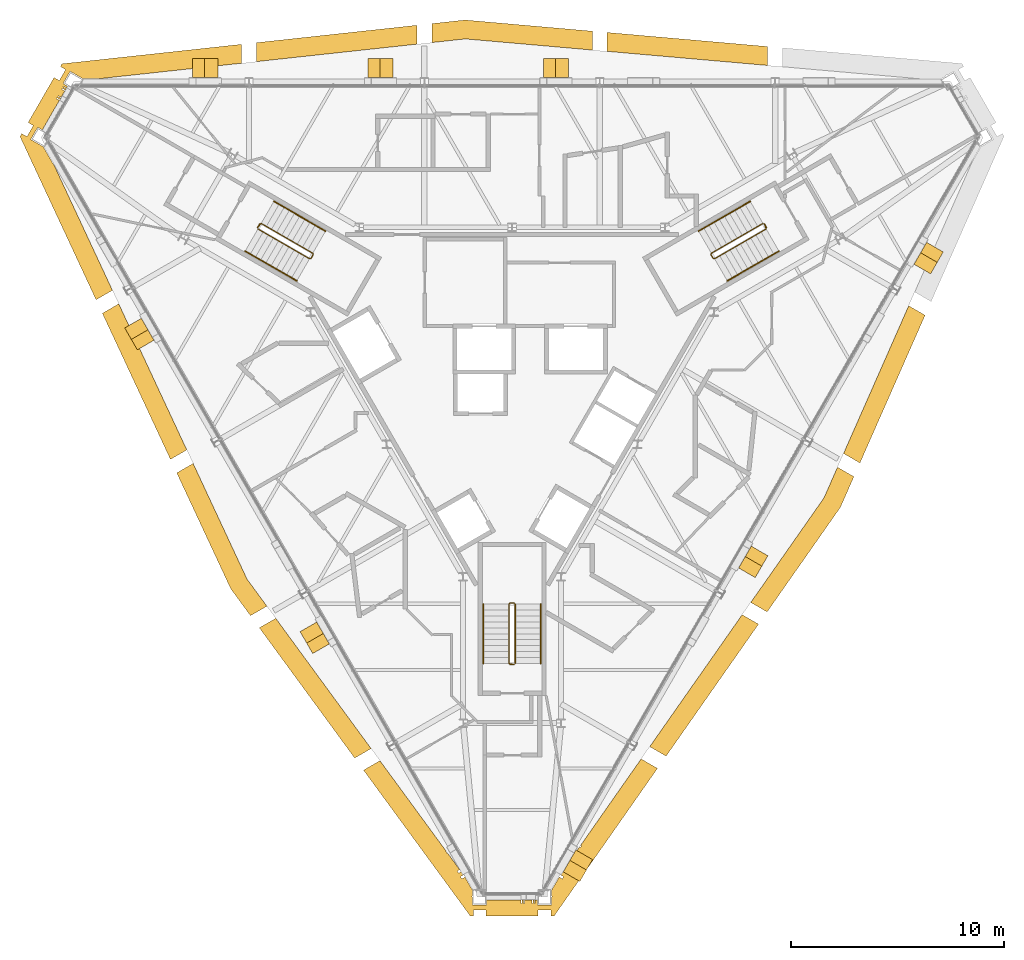
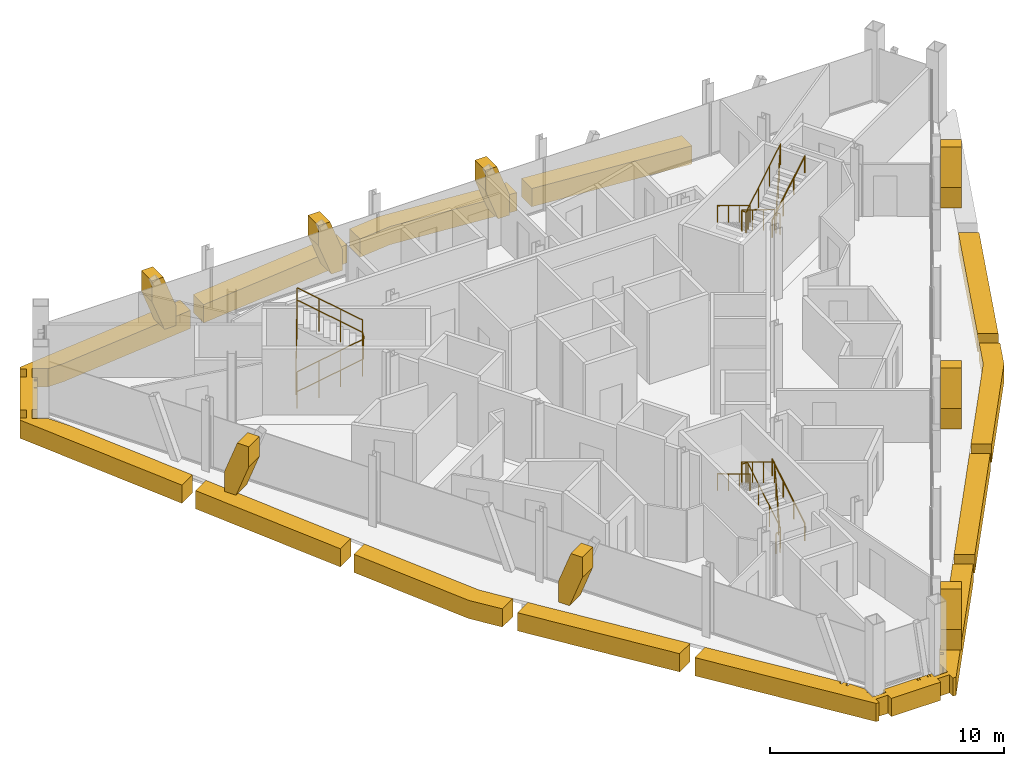
# One storey, part 12 of 13: 19 coverings, 9 railings.
"""IFC4 building model written with IfcOpenShell, lengths in metres."""

from ifc_helpers import new_model, si_unit, direction, frame, origin, origin_2d, place, context, subcontext, project, spatial, polyline, circle, outline, extrude, material, layer, layer_set, type_object, element, save


model = new_model("IFC4")

# Units and contexts
model_context = context("Model", 3, precision=1e-05, world=origin(), true_north=direction((0.0, 1.0)))
body_context = subcontext(model_context, "Body", "Model", "MODEL_VIEW")
ifc_project = project(units=[si_unit("LENGTHUNIT", "METRE"), si_unit("AREAUNIT", "SQUARE_METRE"), si_unit("VOLUMEUNIT", "CUBIC_METRE"), si_unit("PLANEANGLEUNIT", "RADIAN"), si_unit("MASSUNIT", "GRAM", prefix="KILO")], contexts=[model_context])

# Site, building, storey
site_placement = place(None, origin())
site = spatial("IfcSite", under=ifc_project, at=site_placement, CompositionType="ELEMENT")
building_placement = place(site_placement, origin())
building = spatial("IfcBuilding", under=site, at=building_placement, Name="Verrane Prism Tower", CompositionType="ELEMENT")
storey_placement = place(building_placement, frame((0.0, 0.0, 289.89990234375)))
storey = spatial("IfcBuildingStorey", under=building, at=storey_placement, Name="L73", CompositionType="ELEMENT", Elevation=289.89990234375)

# Railings
ifc_material_1 = material(Name="Steel A36 rail and posts, no infill", Category="steel")
railing_type_1 = type_object("IfcRailingType", Name="Stair guard 1100 steel rail and posts", PredefinedType="GUARDRAIL", material=ifc_material_1)
railing_1_placement = place(storey_placement, frame((11.78955078125, 6.97998046875, 0.168212890625)))
element("IfcRailing", 1, at=railing_1_placement, inside=storey, type_object=railing_type_1, Name="Stair 1 guard", PredefinedType="GUARDRAIL", context=body_context, shape_type="SweptSolid", body=[
    extrude(circle(Radius=0.02392578125, at=origin_2d()), frame((0.0, 0.0, 1.076171875), z_axis=(-0.742366697286, -0.42866220388, 0.514917859203), x_axis=(0.500049511043, -0.865996816683, 0.0)), (0.0, 0.0, 1.0), 3.266357421875),
    extrude(circle(Radius=0.02392578125, at=origin_2d()), frame((-2.4248046875, -1.400146484375, 2.7578125), z_axis=(-0.259601060869, -0.965715946433, 0.0), x_axis=(0.965715946433, -0.259601060869, 0.0)), (0.0, 0.0, 1.0), 0.070556640625),
    extrude(circle(Radius=0.02392578125, at=origin_2d()), frame((-2.443115234375, -1.46826171875, 2.7578125), z_axis=(0.499158860599, -0.866510491504, 0.0), x_axis=(0.866510491504, 0.499158860599, 0.0)), (0.0, 0.0, 1.0), 0.199951171875),
    extrude(circle(Radius=0.02392578125, at=origin_2d()), frame((-2.34326171875, -1.6416015625, 2.7578125), z_axis=(0.374585375571, -0.100335368456, 0.921747584887), x_axis=(0.258736085224, 0.965948051503, 0.0)), (0.0, 0.0, 1.0), 0.182373046875),
    extrude(circle(Radius=0.02392578125, at=origin_2d()), frame((-2.27490234375, -1.659912109375, 2.92626953125), z_axis=(0.742366697286, 0.42866220388, 0.514917859203), x_axis=(-0.500049511043, 0.865996816683, 0.0)), (0.0, 0.0, 1.0), 3.266357421875),
    extrude(circle(Radius=0.02392578125, at=origin_2d()), frame((0.14990234375, -0.259765625, 4.60791015625), z_axis=(-0.021985391189, 0.065100454749, -0.997636493602), x_axis=(-0.947430582667, -0.3199613899, 0.0)), (0.0, 0.0, 1.0), 3.708984375),
    extrude(circle(Radius=0.02392578125, at=origin_2d()), frame((0.068359375, -0.018310546875, 0.90771484375), z_axis=(0.499158860599, -0.866510491504, 0.0), x_axis=(0.866510491504, 0.499158860599, 0.0)), (0.0, 0.0, 1.0), 0.199951171875),
    extrude(circle(Radius=0.02099609375, at=origin_2d()), origin(), (0.0, 0.0, 1.0), 1.052001953125),
    extrude(circle(Radius=0.02099609375, at=origin_2d()), frame((-0.808349609375, -0.466796875, 0.560546875)), (0.0, 0.0, 1.0), 1.052001953125),
    extrude(circle(Radius=0.02099609375, at=origin_2d()), frame((-1.616455078125, -0.933349609375, 1.121337890625)), (0.0, 0.0, 1.0), 1.052001953125),
    extrude(circle(Radius=0.02099609375, at=origin_2d()), frame((-2.4248046875, -1.400146484375, 1.681884765625)), (0.0, 0.0, 1.0), 1.052001953125),
    extrude(circle(Radius=0.02099609375, at=origin_2d()), frame((-2.443115234375, -1.46826171875, 1.681884765625)), (0.0, 0.0, 1.0), 1.052001953125),
    extrude(circle(Radius=0.02099609375, at=origin_2d()), frame((-2.34326171875, -1.6416015625, 1.681884765625)), (0.0, 0.0, 1.0), 1.052001953125),
    extrude(circle(Radius=0.02099609375, at=origin_2d()), frame((-2.27490234375, -1.659912109375, 1.85009765625)), (0.0, 0.0, 1.0), 1.052001953125),
    extrude(circle(Radius=0.02099609375, at=origin_2d()), frame((-1.466552734375, -1.193115234375, 2.41064453125)), (0.0, 0.0, 1.0), 1.052001953125),
    extrude(circle(Radius=0.02099609375, at=origin_2d()), frame((-0.658447265625, -0.7265625, 2.971435546875)), (0.0, 0.0, 1.0), 1.052001953125),
    extrude(circle(Radius=0.02099609375, at=origin_2d()), frame((0.14990234375, -0.259765625, 3.531982421875)), (0.0, 0.0, 1.0), 1.052001953125),
    extrude(circle(Radius=0.02099609375, at=origin_2d()), frame((0.12939453125, -0.199462890625, 2.60693359375)), (0.0, 0.0, 1.0), 1.052001953125),
    extrude(circle(Radius=0.02099609375, at=origin_2d()), frame((0.109130859375, -0.13916015625, 1.681884765625)), (0.0, 0.0, 1.0), 1.052001953125),
    extrude(circle(Radius=0.02099609375, at=origin_2d()), frame((0.0888671875, -0.07861328125, 0.7568359375)), (0.0, 0.0, 1.0), 1.052001953125),
    extrude(circle(Radius=0.02099609375, at=origin_2d()), frame((0.068359375, -0.018310546875, -0.168212890625)), (0.0, 0.0, 1.0), 1.052001953125),
    extrude(circle(Radius=0.02099609375, at=origin_2d()), frame((0.168212890625, -0.191650390625, -0.168212890625)), (0.0, 0.0, 1.0), 1.052001953125),
])
railing_2_placement = place(storey_placement, frame((-11.939453125, 6.72021484375, 0.168212890625)))
element("IfcRailing", 2, at=railing_2_placement, inside=storey, type_object=railing_type_1, Name="Stair 2 guard", PredefinedType="GUARDRAIL", context=body_context, shape_type="SweptSolid", body=[
    extrude(circle(Radius=0.02392578125, at=origin_2d()), frame((0.0, 0.0, 1.076171875), z_axis=(0.742366697286, -0.42866220388, 0.514917859203), x_axis=(0.500049511043, 0.865996816683, 0.0)), (0.0, 0.0, 1.0), 3.266357421875),
    extrude(circle(Radius=0.02392578125, at=origin_2d()), frame((2.4248046875, -1.400146484375, 2.7578125), z_axis=(0.965948051503, 0.258736085224, 0.0), x_axis=(-0.258736085224, 0.965948051503, 0.0)), (0.0, 0.0, 1.0), 0.07080078125),
    extrude(circle(Radius=0.02392578125, at=origin_2d()), frame((2.4931640625, -1.3818359375, 2.7578125), z_axis=(0.499158860599, 0.866510491504, 0.0), x_axis=(-0.866510491504, 0.499158860599, 0.0)), (0.0, 0.0, 1.0), 0.199951171875),
    extrude(circle(Radius=0.02392578125, at=origin_2d()), frame((2.593017578125, -1.20849609375, 2.7578125), z_axis=(-0.100385596638, 0.373434419493, 0.922209014446), x_axis=(-0.965715946433, -0.259601060869, 0.0)), (0.0, 0.0, 1.0), 0.182373046875),
    extrude(circle(Radius=0.02392578125, at=origin_2d()), frame((2.57470703125, -1.140380859375, 2.92626953125), z_axis=(-0.742366697286, 0.42866220388, 0.514917859203), x_axis=(-0.500049511043, -0.865996816683, 0.0)), (0.0, 0.0, 1.0), 3.266357421875),
    extrude(circle(Radius=0.02392578125, at=origin_2d()), frame((0.14990234375, 0.259765625, 4.60791015625), z_axis=(-0.045352972709, -0.05167210969, -0.997633750906), x_axis=(0.751567565678, -0.659656118156, 0.0)), (0.0, 0.0, 1.0), 3.708984375),
    extrude(circle(Radius=0.02392578125, at=origin_2d()), frame((-0.018310546875, 0.068115234375, 0.90771484375), z_axis=(0.499158860599, 0.866510491504, 0.0), x_axis=(-0.866510491504, 0.499158860599, 0.0)), (0.0, 0.0, 1.0), 0.199951171875),
    extrude(circle(Radius=0.02099609375, at=origin_2d()), origin(), (0.0, 0.0, 1.0), 1.052001953125),
    extrude(circle(Radius=0.02099609375, at=origin_2d()), frame((0.808349609375, -0.466796875, 0.560546875)), (0.0, 0.0, 1.0), 1.052001953125),
    extrude(circle(Radius=0.02099609375, at=origin_2d()), frame((1.616455078125, -0.933349609375, 1.121337890625)), (0.0, 0.0, 1.0), 1.052001953125),
    extrude(circle(Radius=0.02099609375, at=origin_2d()), frame((2.4248046875, -1.400146484375, 1.681884765625)), (0.0, 0.0, 1.0), 1.052001953125),
    extrude(circle(Radius=0.02099609375, at=origin_2d()), frame((2.4931640625, -1.3818359375, 1.681884765625)), (0.0, 0.0, 1.0), 1.052001953125),
    extrude(circle(Radius=0.02099609375, at=origin_2d()), frame((2.593017578125, -1.20849609375, 1.681884765625)), (0.0, 0.0, 1.0), 1.052001953125),
    extrude(circle(Radius=0.02099609375, at=origin_2d()), frame((2.57470703125, -1.140380859375, 1.85009765625)), (0.0, 0.0, 1.0), 1.052001953125),
    extrude(circle(Radius=0.02099609375, at=origin_2d()), frame((1.766357421875, -0.673583984375, 2.41064453125)), (0.0, 0.0, 1.0), 1.052001953125),
    extrude(circle(Radius=0.02099609375, at=origin_2d()), frame((0.958251953125, -0.20703125, 2.971435546875)), (0.0, 0.0, 1.0), 1.052001953125),
    extrude(circle(Radius=0.02099609375, at=origin_2d()), frame((0.14990234375, 0.259765625, 3.531982421875)), (0.0, 0.0, 1.0), 1.052001953125),
    extrude(circle(Radius=0.02099609375, at=origin_2d()), frame((0.10791015625, 0.2119140625, 2.60693359375)), (0.0, 0.0, 1.0), 1.052001953125),
    extrude(circle(Radius=0.02099609375, at=origin_2d()), frame((0.06591796875, 0.1640625, 1.681884765625)), (0.0, 0.0, 1.0), 1.052001953125),
    extrude(circle(Radius=0.02099609375, at=origin_2d()), frame((0.023681640625, 0.115966796875, 0.7568359375)), (0.0, 0.0, 1.0), 1.052001953125),
    extrude(circle(Radius=0.02099609375, at=origin_2d()), frame((-0.018310546875, 0.068115234375, -0.168212890625)), (0.0, 0.0, 1.0), 1.052001953125),
    extrude(circle(Radius=0.02099609375, at=origin_2d()), frame((0.08154296875, 0.241455078125, -0.168212890625)), (0.0, 0.0, 1.0), 1.052001953125),
])
railing_3_placement = place(storey_placement, frame((0.14990234375, -13.699951171875, 0.168212890625)))
element("IfcRailing", 3, at=railing_3_placement, inside=storey, type_object=railing_type_1, Name="Stair 3 guard", PredefinedType="GUARDRAIL", context=body_context, shape_type="SweptSolid", body=[
    extrude(circle(Radius=0.02392578125, at=origin_2d()), frame((0.0, 0.0, 1.076171875), z_axis=(0.0, 0.857242210791, 0.514913383045), x_axis=(-1.0, 0.0, 0.0)), (0.0, 0.0, 1.0), 3.266357421875),
    extrude(circle(Radius=0.02392578125, at=origin_2d()), frame((0.0, 2.800048828125, 2.7578125), z_axis=(-0.707106781187, 0.707106781187, 0.0), x_axis=(-0.707106781187, -0.707106781187, 0.0)), (0.0, 0.0, 1.0), 0.0703125),
    extrude(circle(Radius=0.02392578125, at=origin_2d()), frame((-0.0498046875, 2.849853515625, 2.7578125), z_axis=(-1.0, 0.0, 0.0), x_axis=(0.0, -1.0, 0.0)), (0.0, 0.0, 1.0), 0.2001953125),
    extrude(circle(Radius=0.02392578125, at=origin_2d()), frame((-0.25, 2.849853515625, 2.7578125), z_axis=(-0.273106073848, -0.273106073848, 0.922402376869), x_axis=(0.707106781187, -0.707106781187, 0.0)), (0.0, 0.0, 1.0), 0.182373046875),
    extrude(circle(Radius=0.02392578125, at=origin_2d()), frame((-0.2998046875, 2.800048828125, 2.92626953125), z_axis=(0.0, -0.857242210791, 0.514913383045), x_axis=(1.0, 0.0, 0.0)), (0.0, 0.0, 1.0), 3.266357421875),
    extrude(circle(Radius=0.02392578125, at=origin_2d()), frame((-0.2998046875, 0.0, 4.60791015625), z_axis=(0.067404178178, -0.013494000514, -0.997634496554), x_axis=(0.196300278283, 0.98054382908, 0.0)), (0.0, 0.0, 1.0), 3.708984375),
    extrude(circle(Radius=0.02392578125, at=origin_2d()), frame((-0.0498046875, -0.050048828125, 0.90771484375), z_axis=(-1.0, 0.0, 0.0), x_axis=(0.0, -1.0, 0.0)), (0.0, 0.0, 1.0), 0.2001953125),
    extrude(circle(Radius=0.02099609375, at=origin_2d()), origin(), (0.0, 0.0, 1.0), 1.052001953125),
    extrude(circle(Radius=0.02099609375, at=origin_2d()), frame((0.0, 0.933349609375, 0.560546875)), (0.0, 0.0, 1.0), 1.052001953125),
    extrude(circle(Radius=0.02099609375, at=origin_2d()), frame((0.0, 1.86669921875, 1.121337890625)), (0.0, 0.0, 1.0), 1.052001953125),
    extrude(circle(Radius=0.02099609375, at=origin_2d()), frame((0.0, 2.800048828125, 1.681884765625)), (0.0, 0.0, 1.0), 1.052001953125),
    extrude(circle(Radius=0.02099609375, at=origin_2d()), frame((-0.0498046875, 2.849853515625, 1.681884765625)), (0.0, 0.0, 1.0), 1.052001953125),
    extrude(circle(Radius=0.02099609375, at=origin_2d()), frame((-0.25, 2.849853515625, 1.681884765625)), (0.0, 0.0, 1.0), 1.052001953125),
    extrude(circle(Radius=0.02099609375, at=origin_2d()), frame((-0.2998046875, 2.800048828125, 1.85009765625)), (0.0, 0.0, 1.0), 1.052001953125),
    extrude(circle(Radius=0.02099609375, at=origin_2d()), frame((-0.2998046875, 1.86669921875, 2.41064453125)), (0.0, 0.0, 1.0), 1.052001953125),
    extrude(circle(Radius=0.02099609375, at=origin_2d()), frame((-0.2998046875, 0.933349609375, 2.971435546875)), (0.0, 0.0, 1.0), 1.052001953125),
    extrude(circle(Radius=0.02099609375, at=origin_2d()), frame((-0.2998046875, 0.0, 3.531982421875)), (0.0, 0.0, 1.0), 1.052001953125),
    extrude(circle(Radius=0.02099609375, at=origin_2d()), frame((-0.2373046875, -0.012451171875, 2.60693359375)), (0.0, 0.0, 1.0), 1.052001953125),
    extrude(circle(Radius=0.02099609375, at=origin_2d()), frame((-0.1748046875, -0.02490234375, 1.681884765625)), (0.0, 0.0, 1.0), 1.052001953125),
    extrude(circle(Radius=0.02099609375, at=origin_2d()), frame((-0.1123046875, -0.03759765625, 0.7568359375)), (0.0, 0.0, 1.0), 1.052001953125),
    extrude(circle(Radius=0.02099609375, at=origin_2d()), frame((-0.0498046875, -0.050048828125, -0.168212890625)), (0.0, 0.0, 1.0), 1.052001953125),
    extrude(circle(Radius=0.02099609375, at=origin_2d()), frame((-0.25, -0.050048828125, -0.168212890625)), (0.0, 0.0, 1.0), 1.052001953125),
])
ifc_material_2 = material(Name="Steel A36 tube", Category="steel")
railing_type_2 = type_object("IfcRailingType", Name="Stair handrail 900 steel tube", PredefinedType="HANDRAIL", material=ifc_material_2)
railing_4_placement = place(storey_placement, frame((11.189453125, 8.01904296875, 0.168212890625)))
element("IfcRailing", 4, at=railing_4_placement, inside=storey, type_object=railing_type_2, Name="Stair 1 handrail", PredefinedType="HANDRAIL", context=body_context, shape_type="SweptSolid", body=[
    extrude(circle(Radius=0.02392578125, at=origin_2d()), frame((0.0, 0.0, 0.8759765625), z_axis=(-0.742390482028, -0.42860119049, 0.514934356695), x_axis=(0.49998411664, -0.866034573852, 0.0)), (0.0, 0.0, 1.0), 3.26611328125),
    extrude(circle(Radius=0.02099609375, at=origin_2d()), origin(), (0.0, 0.0, 1.0), 0.851806640625),
    extrude(circle(Radius=0.02099609375, at=origin_2d()), frame((-0.808349609375, -0.466552734375, 0.560546875)), (0.0, 0.0, 1.0), 0.851806640625),
    extrude(circle(Radius=0.02099609375, at=origin_2d()), frame((-1.616455078125, -0.933349609375, 1.121337890625)), (0.0, 0.0, 1.0), 0.851806640625),
    extrude(circle(Radius=0.02099609375, at=origin_2d()), frame((-2.4248046875, -1.39990234375, 1.681884765625)), (0.0, 0.0, 1.0), 0.851806640625),
])
railing_5_placement = place(storey_placement, frame((10.11474609375, 4.28076171875, 2.018310546875)))
element("IfcRailing", 5, at=railing_5_placement, inside=storey, type_object=railing_type_2, Name="Stair 1 handrail", PredefinedType="HANDRAIL", context=body_context, shape_type="SweptSolid", body=[
    extrude(circle(Radius=0.02392578125, at=origin_2d()), frame((0.0, 0.0, 0.8759765625), z_axis=(0.742366697286, 0.42866220388, 0.514917859203), x_axis=(-0.500049511043, 0.865996816683, 0.0)), (0.0, 0.0, 1.0), 3.266357421875),
    extrude(circle(Radius=0.02099609375, at=origin_2d()), origin(), (0.0, 0.0, 1.0), 0.851806640625),
    extrude(circle(Radius=0.02099609375, at=origin_2d()), frame((0.808349609375, 0.466796875, 0.560546875)), (0.0, 0.0, 1.0), 0.851806640625),
    extrude(circle(Radius=0.02099609375, at=origin_2d()), frame((1.616455078125, 0.933349609375, 1.121337890625)), (0.0, 0.0, 1.0), 0.851806640625),
    extrude(circle(Radius=0.02099609375, at=origin_2d()), frame((2.4248046875, 1.400146484375, 1.681884765625)), (0.0, 0.0, 1.0), 0.851806640625),
])
railing_6_placement = place(storey_placement, frame((-12.53955078125, 5.680908203125, 0.168212890625)))
element("IfcRailing", 6, at=railing_6_placement, inside=storey, type_object=railing_type_2, Name="Stair 2 handrail", PredefinedType="HANDRAIL", context=body_context, shape_type="SweptSolid", body=[
    extrude(circle(Radius=0.02392578125, at=origin_2d()), frame((0.0, 0.0, 0.8759765625), z_axis=(0.742366697286, -0.42866220388, 0.514917859203), x_axis=(0.500049511043, 0.865996816683, 0.0)), (0.0, 0.0, 1.0), 3.266357421875),
    extrude(circle(Radius=0.02099609375, at=origin_2d()), origin(), (0.0, 0.0, 1.0), 0.851806640625),
    extrude(circle(Radius=0.02099609375, at=origin_2d()), frame((0.808349609375, -0.466796875, 0.560546875)), (0.0, 0.0, 1.0), 0.851806640625),
    extrude(circle(Radius=0.02099609375, at=origin_2d()), frame((1.616455078125, -0.933349609375, 1.121337890625)), (0.0, 0.0, 1.0), 0.851806640625),
    extrude(circle(Radius=0.02099609375, at=origin_2d()), frame((2.4248046875, -1.400146484375, 1.681884765625)), (0.0, 0.0, 1.0), 0.851806640625),
])
railing_7_placement = place(storey_placement, frame((-8.7646484375, 6.619140625, 2.018310546875)))
element("IfcRailing", 7, at=railing_7_placement, inside=storey, type_object=railing_type_2, Name="Stair 2 handrail", PredefinedType="HANDRAIL", context=body_context, shape_type="SweptSolid", body=[
    extrude(circle(Radius=0.02392578125, at=origin_2d()), frame((0.0, 0.0, 0.8759765625), z_axis=(-0.742390482028, 0.42860119049, 0.514934356695), x_axis=(-0.49998411664, -0.866034573852, 0.0)), (0.0, 0.0, 1.0), 3.26611328125),
    extrude(circle(Radius=0.02099609375, at=origin_2d()), origin(), (0.0, 0.0, 1.0), 0.851806640625),
    extrude(circle(Radius=0.02099609375, at=origin_2d()), frame((-0.808349609375, 0.466552734375, 0.560546875)), (0.0, 0.0, 1.0), 0.851806640625),
    extrude(circle(Radius=0.02099609375, at=origin_2d()), frame((-1.616455078125, 0.933349609375, 1.121337890625)), (0.0, 0.0, 1.0), 0.851806640625),
    extrude(circle(Radius=0.02099609375, at=origin_2d()), frame((-2.4248046875, 1.39990234375, 1.681884765625)), (0.0, 0.0, 1.0), 0.851806640625),
])
railing_8_placement = place(storey_placement, frame((1.35009765625, -13.699951171875, 0.168212890625)))
element("IfcRailing", 8, at=railing_8_placement, inside=storey, type_object=railing_type_2, Name="Stair 3 handrail", PredefinedType="HANDRAIL", context=body_context, shape_type="SweptSolid", body=[
    extrude(circle(Radius=0.02392578125, at=origin_2d()), frame((0.0, 0.0, 0.8759765625), z_axis=(0.0, 0.857242210791, 0.514913383045), x_axis=(-1.0, 0.0, 0.0)), (0.0, 0.0, 1.0), 3.266357421875),
    extrude(circle(Radius=0.02099609375, at=origin_2d()), origin(), (0.0, 0.0, 1.0), 0.851806640625),
    extrude(circle(Radius=0.02099609375, at=origin_2d()), frame((0.0, 0.933349609375, 0.560546875)), (0.0, 0.0, 1.0), 0.851806640625),
    extrude(circle(Radius=0.02099609375, at=origin_2d()), frame((0.0, 1.86669921875, 1.121337890625)), (0.0, 0.0, 1.0), 0.851806640625),
    extrude(circle(Radius=0.02099609375, at=origin_2d()), frame((0.0, 2.800048828125, 1.681884765625)), (0.0, 0.0, 1.0), 0.851806640625),
])
railing_9_placement = place(storey_placement, frame((-1.35009765625, -10.89990234375, 2.018310546875)))
element("IfcRailing", 9, at=railing_9_placement, inside=storey, type_object=railing_type_2, Name="Stair 3 handrail", PredefinedType="HANDRAIL", context=body_context, shape_type="SweptSolid", body=[
    extrude(circle(Radius=0.02392578125, at=origin_2d()), frame((0.0, 0.0, 0.8759765625), z_axis=(0.0, -0.857242210791, 0.514913383045), x_axis=(1.0, 0.0, 0.0)), (0.0, 0.0, 1.0), 3.266357421875),
    extrude(circle(Radius=0.02099609375, at=origin_2d()), origin(), (0.0, 0.0, 1.0), 0.851806640625),
    extrude(circle(Radius=0.02099609375, at=origin_2d()), frame((0.0, -0.933349609375, 0.560546875)), (0.0, 0.0, 1.0), 0.851806640625),
    extrude(circle(Radius=0.02099609375, at=origin_2d()), frame((0.0, -1.86669921875, 1.121337890625)), (0.0, 0.0, 1.0), 0.851806640625),
    extrude(circle(Radius=0.02099609375, at=origin_2d()), frame((0.0, -2.800048828125, 1.681884765625)), (0.0, 0.0, 1.0), 0.851806640625),
])

# Coverings
ifc_material_3 = material(Name="Warm limestone cladding", Category="masonry")
ifc_layer_1 = layer(ifc_material_3, 0.89990234375)
ifc_layer_set_1 = layer_set([ifc_layer_1], Name="Stone brace fin 900")
covering_type_1 = type_object("IfcCoveringType", Name="Stone brace fin 900", PredefinedType="CLADDING", material=ifc_layer_set_1)
for number, where, z_axis, x_axis, name in (
    (10, (2.6533203125, 14.27783203125, 0.0), (0.0, 0.0, 1.0), (-1.0, 0.0, 0.0), "Stone brace fin N3 L73"),
    (11, (-5.5869140625, 14.27783203125, 0.0), (0.0, 0.0, 1.0), (-1.0, 0.0, 0.0), "Stone brace fin N4 L73"),
    (12, (-13.826904296875, 14.27783203125, 0.0), (0.0, 0.0, 1.0), (-1.0, 0.0, 0.0), "Stone brace fin N5 L73"),
):
    element("IfcCovering", number, at=place(storey_placement, frame(where, z_axis=z_axis, x_axis=x_axis)), inside=storey, type_object=covering_type_1, Name=name, PredefinedType="CLADDING", context=body_context, shape_type="SweptSolid", body=[
        extrude(outline(polyline([(1.186279296875, 2.75), (0.62109375, 2.75), (0.0, 1.076416015625), (0.0, 0.0), (0.560302734375, 0.0), (1.186279296875, 1.6865234375), (1.186279296875, 2.75)])), frame((0.0, 0.449951171875, 0.0), z_axis=(0.0, -1.0, 0.0), x_axis=(1.0, 0.0, 0.0)), (0.0, 0.0, 1.0), 0.89990234375),
    ])
for number, where, z_axis, x_axis, name in (
    (13, (-17.810302734375, 2.295166015625, 0.0), (0.0, 0.0, 1.0), (0.499657156181, -0.866223254293, 0.0), "Stone brace fin SW2 L73"),
    (14, (-9.5703125, -11.974853515625, 0.0), (0.0, 0.0, 1.0), (0.499746201493, -0.866171884844, 0.0), "Stone brace fin SW4 L73"),
    (15, (2.797119140625, -23.712890625, 0.0), (0.0, 0.0, 1.0), (0.499811481546, 0.86613421761, 0.0), "Stone brace fin SE1 L73"),
):
    element("IfcCovering", number, at=place(storey_placement, frame(where, z_axis=z_axis, x_axis=x_axis)), inside=storey, type_object=covering_type_1, Name=name, PredefinedType="CLADDING", context=body_context, shape_type="SweptSolid", body=[
        extrude(outline(polyline([(1.18701171875, 2.75), (0.62158203125, 2.75), (0.0, 1.076171875), (0.0, 0.0), (0.560546875, 0.0), (1.18701171875, 1.68701171875), (1.18701171875, 2.75)])), frame((0.0, 0.449951171875, 0.0), z_axis=(0.0, -1.0, 0.0), x_axis=(1.0, 0.0, 0.0)), (0.0, 0.0, 1.0), 0.89990234375),
    ])
covering_1_placement = place(storey_placement, frame((11.037109375, -9.434814453125, 0.0), z_axis=(0.0, 0.0, 1.0), x_axis=(0.500191825104, 0.865914625179, 0.0)))
element("IfcCovering", 16, at=covering_1_placement, inside=storey, type_object=covering_type_1, Name="Stone brace fin SE3 L73", PredefinedType="CLADDING", context=body_context, shape_type="SweptSolid", body=[
    extrude(outline(polyline([(1.185791015625, 2.75), (0.62060546875, 2.75), (0.0, 1.0771484375), (0.0, 0.0), (0.560302734375, 0.0), (1.185791015625, 1.685791015625), (1.185791015625, 2.75)])), frame((0.0, 0.449951171875, 0.0), z_axis=(0.0, -1.0, 0.0), x_axis=(1.0, 0.0, 0.0)), (0.0, 0.0, 1.0), 0.89990234375),
])
covering_2_placement = place(storey_placement, frame((19.277099609375, 4.837158203125, 0.0), z_axis=(0.0, 0.0, 1.0), x_axis=(0.499811481546, 0.86613421761, 0.0)))
element("IfcCovering", 17, at=covering_2_placement, inside=storey, type_object=covering_type_1, Name="Stone brace fin SE5 L73", PredefinedType="CLADDING", context=body_context, shape_type="SweptSolid", body=[
    extrude(outline(polyline([(1.18701171875, 2.75), (0.62158203125, 2.75), (0.0, 1.076171875), (0.0, 0.0), (0.560546875, 0.0), (1.18701171875, 1.68701171875), (1.18701171875, 2.75)])), frame((0.0, 0.449951171875, 0.0), z_axis=(0.0, -1.0, 0.0), x_axis=(1.0, 0.0, 0.0)), (0.0, 0.0, 1.0), 0.89990234375),
])
ifc_material_4 = material(Name="Warm limestone cladding", Category="masonry")
ifc_layer_2 = layer(ifc_material_4, 0.449951171875)
ifc_layer_set_2 = layer_set([ifc_layer_2], Name="Stone spandrel band 450")
covering_type_2 = type_object("IfcCoveringType", Name="Stone spandrel band 450", PredefinedType="CLADDING", material=ifc_layer_set_2)
covering_3_placement = place(storey_placement, frame((0.0, 0.0, -0.949951171875)))
element("IfcCovering", 18, at=covering_3_placement, inside=storey, type_object=covering_type_2, Name="Stone spandrel band L73 part 2", PredefinedType="CLADDING", context=body_context, shape_type="SweptSolid", body=[
    extrude(outline(polyline([(-18.777099609375, 3.83837890625), (-21.478759765625, 9.6357421875), (-22.027099609375, 10.585205078125), (-22.614013671875, 10.92431640625), (-22.2841796875, 11.495849609375), (-22.07275390625, 11.373779296875), (-21.268798828125, 12.76611328125), (-21.41015625, 12.847900390625), (-21.38671875, 12.888427734375), (-21.245361328125, 12.806640625), (-21.204833984375, 12.876953125), (-21.34619140625, 12.95849609375), (-21.331298828125, 12.984130859375), (-21.190185546875, 12.90234375), (-21.015625, 13.20458984375), (-21.15673828125, 13.2861328125), (-21.13330078125, 13.32666015625), (-20.9921875, 13.2451171875), (-20.95166015625, 13.315185546875), (-21.0927734375, 13.39697265625), (-21.077880859375, 13.42236328125), (-20.93701171875, 13.3408203125), (-20.8837890625, 13.432861328125), (-21.093994140625, 13.55419921875), (-20.76416015625, 14.125732421875), (-20.1708984375, 13.783447265625), (-19.377197265625, 13.783447265625), (-12.712646484375, 14.507568359375), (-12.712646484375, 15.3974609375), (-21.146240234375, 14.481201171875), (-21.220703125, 14.352294921875), (-20.97412109375, 14.209716796875), (-21.274169921875, 13.690185546875), (-21.520751953125, 13.83251953125), (-22.73974609375, 11.72119140625), (-22.4931640625, 11.578857421875), (-22.793212890625, 11.05908203125), (-23.039794921875, 11.20166015625), (-23.1201171875, 11.0625), (-19.54638671875, 3.394287109375), (-18.777099609375, 3.83837890625)])), origin(), (0.0, 0.0, 1.0), 0.949951171875),
])
covering_4_placement = place(storey_placement, frame((0.0, 0.0, -0.949951171875)))
element("IfcCovering", 19, at=covering_4_placement, inside=storey, type_object=covering_type_2, Name="Stone spandrel band L73 part 3", PredefinedType="CLADDING", context=body_context, shape_type="SweptSolid", body=[
    extrude(outline(polyline([(1.9794921875, -25.5537109375), (6.83349609375, -18.624755859375), (6.064208984375, -18.1806640625), (3.22314453125, -22.236572265625), (3.2587890625, -22.257080078125), (3.199951171875, -22.35888671875), (3.1552734375, -22.333251953125), (3.047607421875, -22.487060546875), (3.1064453125, -22.52099609375), (3.04541015625, -22.626953125), (2.97705078125, -22.587646484375), (2.431640625, -23.3662109375), (2.572021484375, -23.447021484375), (2.51318359375, -23.548828125), (2.367919921875, -23.465087890625), (2.2744140625, -23.627197265625), (2.419677734375, -23.7109375), (2.358642578125, -23.81689453125), (2.21337890625, -23.733154296875), (1.85009765625, -24.3623046875), (1.85009765625, -24.611083984375), (1.8876953125, -24.6328125), (1.85009765625, -24.6982421875), (1.85009765625, -25.050048828125), (1.18994140625, -25.050048828125), (1.18994140625, -24.802490234375), (1.08349609375, -24.802490234375), (1.08349609375, -24.969970703125), (1.053955078125, -24.969970703125), (1.053955078125, -24.802490234375), (0.972900390625, -24.802490234375), (0.972900390625, -24.969970703125), (0.92578125, -24.969970703125), (0.92578125, -24.802490234375), (0.57666015625, -24.802490234375), (0.57666015625, -24.969970703125), (0.547119140625, -24.969970703125), (0.547119140625, -24.802490234375), (0.466064453125, -24.802490234375), (0.466064453125, -24.969970703125), (0.419189453125, -24.969970703125), (0.419189453125, -24.802490234375), (-1.18994140625, -24.802490234375), (-1.18994140625, -25.050048828125), (-1.85009765625, -25.050048828125), (-1.85009765625, -24.6982421875), (-1.8876953125, -24.6328125), (-1.85009765625, -24.611083984375), (-1.85009765625, -24.3623046875), (-2.21337890625, -23.733154296875), (-2.358642578125, -23.81689453125), (-2.419677734375, -23.7109375), (-2.279541015625, -23.6298828125), (-2.390625, -23.478271484375), (-2.51318359375, -23.548828125), (-2.572021484375, -23.447021484375), (-2.46044921875, -23.3828125), (-3.02294921875, -22.614013671875), (-3.04541015625, -22.626953125), (-3.1064453125, -22.52099609375), (-3.095703125, -22.514892578125), (-6.20751953125, -18.26318359375), (-6.978271484375, -18.708251953125), (-1.968017578125, -25.5537109375), (-1.819091796875, -25.5537109375), (-1.819091796875, -25.26904296875), (-1.218994140625, -25.26904296875), (-1.218994140625, -25.5537109375), (1.218994140625, -25.5537109375), (1.218994140625, -25.26904296875), (1.819091796875, -25.26904296875), (1.819091796875, -25.5537109375), (1.9794921875, -25.5537109375)])), origin(), (0.0, 0.0, 1.0), 0.949951171875),
])
covering_5_placement = place(storey_placement, frame((0.0, 0.0, -0.949951171875)))
element("IfcCovering", 20, at=covering_5_placement, inside=storey, type_object=covering_type_2, Name="Stone spandrel band L73 part 4", PredefinedType="CLADDING", context=body_context, shape_type="SweptSolid", body=[
    extrude(outline(polyline([(-15.2822265625, -3.66064453125), (-18.480224609375, 3.201416015625), (-19.24951171875, 2.75732421875), (-16.051513671875, -4.104736328125), (-15.2822265625, -3.66064453125)])), origin(), (0.0, 0.0, 1.0), 0.949951171875),
])
covering_6_placement = place(storey_placement, frame((0.0, 0.0, -0.949951171875)))
element("IfcCovering", 21, at=covering_6_placement, inside=storey, type_object=covering_type_2, Name="Stone spandrel band L73 part 5", PredefinedType="CLADDING", context=body_context, shape_type="SweptSolid", body=[
    extrude(outline(polyline([(-12.29052734375, -11.4501953125), (-11.519775390625, -11.005126953125), (-12.454345703125, -9.728515625), (-14.9853515625, -4.297607421875), (-15.754638671875, -4.74169921875), (-13.2197265625, -10.180908203125), (-12.29052734375, -11.4501953125)])), origin(), (0.0, 0.0, 1.0), 0.949951171875),
])
covering_7_placement = place(storey_placement, frame((0.0, 0.0, -0.949951171875)))
element("IfcCovering", 22, at=covering_7_placement, inside=storey, type_object=covering_type_2, Name="Stone spandrel band L73 part 6", PredefinedType="CLADDING", context=body_context, shape_type="SweptSolid", body=[
    extrude(outline(polyline([(-7.394287109375, -18.14013671875), (-6.623291015625, -17.695068359375), (-11.10400390625, -11.573486328125), (-11.874755859375, -12.018310546875), (-7.394287109375, -18.14013671875)])), origin(), (0.0, 0.0, 1.0), 0.949951171875),
])
covering_8_placement = place(storey_placement, frame((0.0, 0.0, -0.949951171875)))
element("IfcCovering", 23, at=covering_8_placement, inside=storey, type_object=covering_type_2, Name="Stone spandrel band L73 part 7", PredefinedType="CLADDING", context=body_context, shape_type="SweptSolid", body=[
    extrude(outline(polyline([(11.58056640625, -11.848388671875), (10.811279296875, -11.404296875), (6.467529296875, -17.60498046875), (7.23681640625, -18.04931640625), (11.58056640625, -11.848388671875)])), origin(), (0.0, 0.0, 1.0), 0.949951171875),
])
covering_9_placement = place(storey_placement, frame((0.0, 0.0, -0.949951171875)))
element("IfcCovering", 24, at=covering_9_placement, inside=storey, type_object=covering_type_2, Name="Stone spandrel band L73 part 8", PredefinedType="CLADDING", context=body_context, shape_type="SweptSolid", body=[
    extrude(outline(polyline([(16.0615234375, -4.918701171875), (15.290771484375, -4.473876953125), (14.652099609375, -5.921630859375), (11.214599609375, -10.828857421875), (11.983642578125, -11.27294921875), (15.4267578125, -6.358154296875), (16.0615234375, -4.918701171875)])), origin(), (0.0, 0.0, 1.0), 0.949951171875),
])
covering_10_placement = place(storey_placement, frame((0.0, 0.0, -0.949951171875)))
element("IfcCovering", 25, at=covering_10_placement, inside=storey, type_object=covering_type_2, Name="Stone spandrel band L73 part 9", PredefinedType="CLADDING", context=body_context, shape_type="SweptSolid", body=[
    extrude(outline(polyline([(18.635986328125, 3.111572265625), (15.57470703125, -3.82958984375), (16.345703125, -4.274658203125), (17.21728515625, -2.29833984375), (19.40673828125, 2.66650390625), (18.635986328125, 3.111572265625)])), origin(), (0.0, 0.0, 1.0), 0.949951171875),
])
covering_11_placement = place(storey_placement, frame((0.0, 0.0, -0.949951171875)))
element("IfcCovering", 26, at=covering_11_placement, inside=storey, type_object=covering_type_2, Name="Stone spandrel band L73 part 10", PredefinedType="CLADDING", context=body_context, shape_type="SweptSolid", body=[
    extrude(outline(polyline([(4.470947265625, 15.065185546875), (12.0126953125, 14.403564453125), (12.0126953125, 15.291748046875), (4.470947265625, 15.953369140625), (4.470947265625, 15.065185546875)])), origin(), (0.0, 0.0, 1.0), 0.949951171875),
])
covering_12_placement = place(storey_placement, frame((0.0, 0.0, -0.949951171875)))
element("IfcCovering", 27, at=covering_12_placement, inside=storey, type_object=covering_type_2, Name="Stone spandrel band L73 part 11", PredefinedType="CLADDING", context=body_context, shape_type="SweptSolid", body=[
    extrude(outline(polyline([(-3.77099609375, 16.369140625), (-3.77099609375, 15.47900390625), (-2.19775390625, 15.64990234375), (3.77099609375, 15.12646484375), (3.77099609375, 16.0146484375), (-2.20703125, 16.5390625), (-3.77099609375, 16.369140625)])), origin(), (0.0, 0.0, 1.0), 0.949951171875),
])
covering_13_placement = place(storey_placement, frame((0.0, 0.0, -0.949951171875)))
element("IfcCovering", 28, at=covering_13_placement, inside=storey, type_object=covering_type_2, Name="Stone spandrel band L73 part 12", PredefinedType="CLADDING", context=body_context, shape_type="SweptSolid", body=[
    extrude(outline(polyline([(-12.0126953125, 14.58349609375), (-4.470947265625, 15.403076171875), (-4.470947265625, 16.29296875), (-12.0126953125, 15.4736328125), (-12.0126953125, 14.58349609375)])), origin(), (0.0, 0.0, 1.0), 0.949951171875),
])

save(model, "model.ifc")
